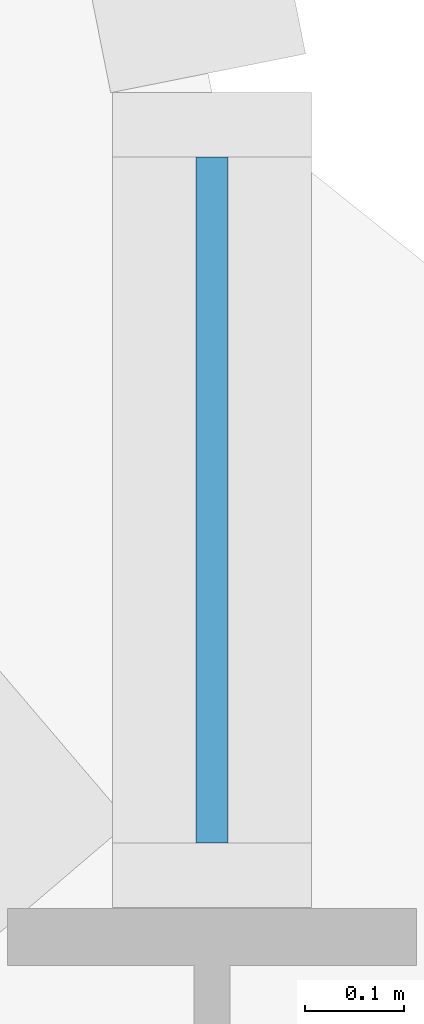
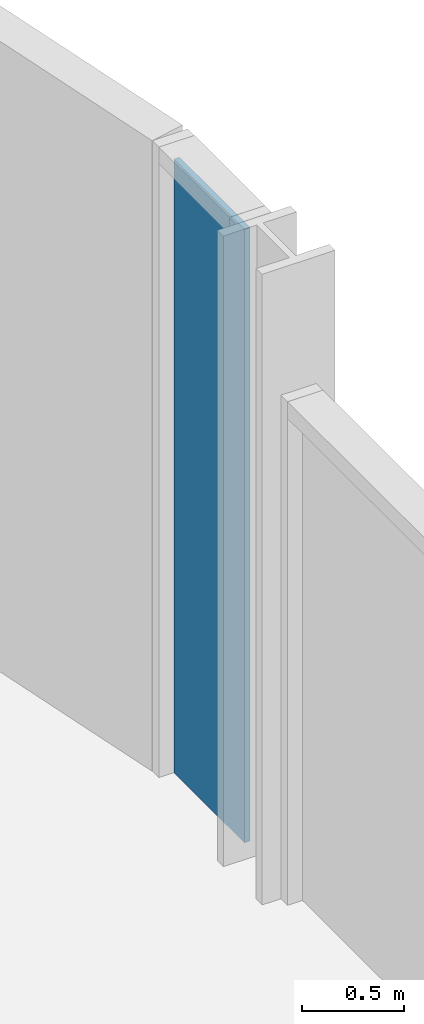
# One storey, part 12 of 32: 1 plate, 1 element without a shape of its own.
"""IFC4 building model written with IfcOpenShell, lengths in metres."""

from ifc_helpers import new_model, si_unit, direction, frame, origin, origin_2d, place, context, subcontext, project, spatial, rectangle, extrude, material, layer, layer_set, type_object, element, aggregate, save


model = new_model("IFC4")

# Units and contexts
model_context = context("Model", 3, precision=1e-05, world=origin(), true_north=direction((0.0, 1.0)))
body_context = subcontext(model_context, "Body", "Model", "MODEL_VIEW")
ifc_project = project(units=[si_unit("LENGTHUNIT", "METRE"), si_unit("AREAUNIT", "SQUARE_METRE"), si_unit("VOLUMEUNIT", "CUBIC_METRE"), si_unit("PLANEANGLEUNIT", "RADIAN"), si_unit("MASSUNIT", "GRAM", prefix="KILO")], contexts=[model_context])

# Site, building, storey
site_placement = place(None, origin())
site = spatial("IfcSite", under=ifc_project, at=site_placement, CompositionType="ELEMENT")
building_placement = place(site_placement, origin())
building = spatial("IfcBuilding", under=site, at=building_placement, Name="Mahtab Terrace Research Tower", CompositionType="ELEMENT")
storey_placement = place(building_placement, frame((0.0, 0.0, 138.39990234375)))
storey = spatial("IfcBuildingStorey", under=building, at=storey_placement, Name="L32", CompositionType="ELEMENT", Elevation=138.39990234375)

# Curtain wall, plate
ifc_material_1 = material(Name="Laboratory ribbon curtain wall")
curtain_wall_type = type_object("IfcCurtainWallType", Name="Laboratory ribbon curtain wall", PredefinedType="NOTDEFINED", material=ifc_material_1)
curtain_wall_placement = place(storey_placement, origin())
curtain_wall = element("IfcCurtainWall", 1, at=curtain_wall_placement, inside=storey, type_object=curtain_wall_type, Name="EN.L32.18.39", PredefinedType="NOTDEFINED")
ifc_material_2 = material(Name="Dark glazing", Category="glass")
ifc_layer = layer(ifc_material_2, 0.031982421875)
ifc_layer_set = layer_set([ifc_layer], Name="Laboratory ribbon curtain wall glazing panel")
plate_type = type_object("IfcPlateType", Name="Laboratory ribbon curtain wall glazing panel", PredefinedType="CURTAIN_PANEL", material=ifc_layer_set)
plate_placement = place(storey_placement, frame((48.0, 22.590087890625, 0.0), z_axis=(0.0, 0.0, 1.0), x_axis=(0.0, 1.0, 0.0)))
plate = element("IfcPlate", 2, at=plate_placement, type_object=plate_type, Name="CWL-4 panel 1", PredefinedType="CURTAIN_PANEL", context=body_context, shape_type="SweptSolid", body=[
    extrude(rectangle(XDim=0.68994140625, YDim=0.031982421875, at=origin_2d()), origin(), (0.0, 0.0, 1.0), 3.659912109375),
])
aggregate(curtain_wall, [plate])

save(model, "model.ifc")
